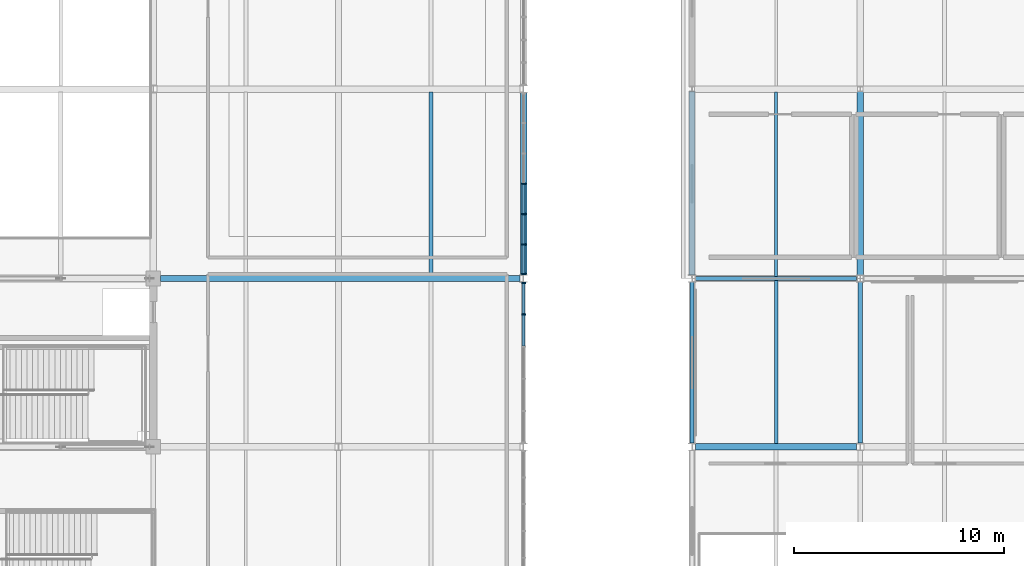
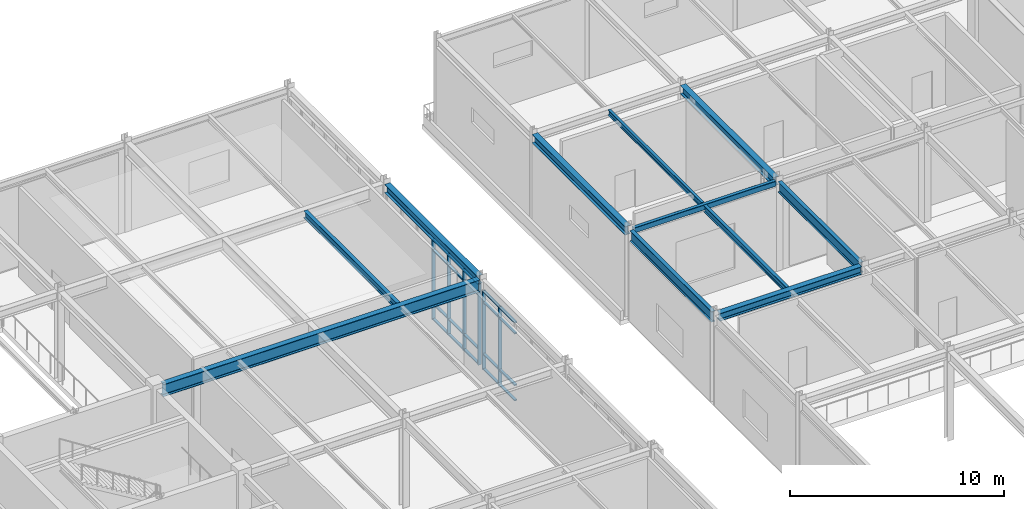
# One storey, part 67 of 184: 26 members, 11 beams, 2 elements without a shape of their own.
"""IFC4 building model written with IfcOpenShell, lengths in metres."""

from ifc_helpers import new_model, si_unit, direction, frame, origin, origin_2d, place, context, subcontext, project, spatial, rectangle, hollow_rectangle, i_section, extrude, material, material_profile, profile_set, type_object, element, aggregate, save


model = new_model("IFC4")

# Units and contexts
model_context = context("Model", 3, precision=1e-05, world=origin(), true_north=direction((0.0, 1.0)))
body_context = subcontext(model_context, "Body", "Model", "MODEL_VIEW")
ifc_project = project(units=[si_unit("LENGTHUNIT", "METRE"), si_unit("AREAUNIT", "SQUARE_METRE"), si_unit("VOLUMEUNIT", "CUBIC_METRE"), si_unit("PLANEANGLEUNIT", "RADIAN"), si_unit("MASSUNIT", "GRAM", prefix="KILO")], contexts=[model_context])

# Site, building, storey
site_placement = place(None, origin())
site = spatial("IfcSite", under=ifc_project, at=site_placement, CompositionType="ELEMENT")
building_placement = place(site_placement, origin())
building = spatial("IfcBuilding", under=site, at=building_placement, Name="Zhaolan Boulevard Law Courts", CompositionType="ELEMENT")
storey_placement = place(building_placement, frame((0.0, 0.0, 5.39990234375)))
storey = spatial("IfcBuildingStorey", under=building, at=storey_placement, Name="L01", CompositionType="ELEMENT", Elevation=5.39990234375)

# Curtain wall, members
ifc_material_1 = material(Name="Thermally broken aluminium and low-E glazing", Category="aluminium")
curtain_wall_type_1 = type_object("IfcCurtainWallType", Name="CURTAIN WALL M16", PredefinedType="USERDEFINED", material=ifc_material_1)
curtain_wall_1_placement = place(storey_placement, origin())
curtain_wall_1 = element("IfcCurtainWall", 1, at=curtain_wall_1_placement, inside=storey, type_object=curtain_wall_type_1, Name="Curtain Wall CW-L01-112", ObjectType="CURTAIN WALL", PredefinedType="USERDEFINED")
ifc_material_2 = material(Name="Fluorocarbon-coated aluminium 6063-T6", Category="aluminium")
ifc_material_profile_1 = material_profile(ifc_material_2, rectangle(XDim=0.179931640625, YDim=0.06494140625, at=origin_2d()), Name="AL65x180")
ifc_profile_set_1 = profile_set([ifc_material_profile_1], Name="Fluorocarbon-coated aluminium 6063-T6")
member_type_1 = type_object("IfcMemberType", Name="CWMULLION 65X180", PredefinedType="MULLION", material=ifc_profile_set_1)
member_1_placement = place(storey_placement, frame((44.0, 92.293701171875, 0.0), z_axis=(0.0, 0.0, 1.0), x_axis=(-1.0, 0.0, 0.0)))
member_1 = element("IfcMember", 2, at=member_1_placement, type_object=member_type_1, Name="CW-L01-112 mullion 5", PredefinedType="MULLION", context=body_context, shape_type="SweptSolid", body=[
    extrude(rectangle(XDim=0.179931640625, YDim=0.06494140625, at=origin_2d()), origin(), (0.0, 0.0, 1.0), 4.503173828125),
])
member_2_placement = place(storey_placement, frame((44.0, 93.79052734375, 0.0), z_axis=(0.0, 0.0, 1.0), x_axis=(-1.0, 0.0, 0.0)))
member_2 = element("IfcMember", 3, at=member_2_placement, type_object=member_type_1, Name="CW-L01-112 mullion 6", PredefinedType="MULLION", context=body_context, shape_type="SweptSolid", body=[
    extrude(rectangle(XDim=0.179931640625, YDim=0.06494140625, at=origin_2d()), origin(), (0.0, 0.0, 1.0), 4.503173828125),
])

ifc_material_3 = material(Name="Thermally broken aluminium and low-E glazing", Category="aluminium")
curtain_wall_type_2 = type_object("IfcCurtainWallType", Name="CURTAIN WALL M17", PredefinedType="USERDEFINED", material=ifc_material_3)
curtain_wall_2_placement = place(storey_placement, origin())
curtain_wall_2 = element("IfcCurtainWall", 4, at=curtain_wall_2_placement, inside=storey, type_object=curtain_wall_type_2, Name="Curtain Wall CW-L01-113", ObjectType="CURTAIN WALL", PredefinedType="USERDEFINED")
member_3_placement = place(storey_placement, frame((44.0, 94.20947265625, 0.0), z_axis=(0.0, 0.0, 1.0), x_axis=(-1.0, 0.0, 0.0)))
member_3 = element("IfcMember", 5, at=member_3_placement, type_object=member_type_1, Name="CW-L01-113 mullion 1", PredefinedType="MULLION", context=body_context, shape_type="SweptSolid", body=[
    extrude(rectangle(XDim=0.179931640625, YDim=0.06494140625, at=origin_2d()), origin(), (0.0, 0.0, 1.0), 4.62109375),
])
member_4_placement = place(storey_placement, frame((44.0, 95.617919921875, 0.0), z_axis=(0.0, 0.0, 1.0), x_axis=(-1.0, 0.0, 0.0)))
member_4 = element("IfcMember", 6, at=member_4_placement, type_object=member_type_1, Name="CW-L01-113 mullion 2", PredefinedType="MULLION", context=body_context, shape_type="SweptSolid", body=[
    extrude(rectangle(XDim=0.179931640625, YDim=0.06494140625, at=origin_2d()), origin(), (0.0, 0.0, 1.0), 4.62109375),
])
member_5_placement = place(storey_placement, frame((44.0, 97.05908203125, 0.0), z_axis=(0.0, 0.0, 1.0), x_axis=(-1.0, 0.0, 0.0)))
member_5 = element("IfcMember", 7, at=member_5_placement, type_object=member_type_1, Name="CW-L01-113 mullion 3", PredefinedType="MULLION", context=body_context, shape_type="SweptSolid", body=[
    extrude(rectangle(XDim=0.179931640625, YDim=0.06494140625, at=origin_2d()), origin(), (0.0, 0.0, 1.0), 4.62109375),
])
member_6_placement = place(storey_placement, frame((44.0, 98.5, 0.0), z_axis=(0.0, 0.0, 1.0), x_axis=(-1.0, 0.0, 0.0)))
member_6 = element("IfcMember", 8, at=member_6_placement, type_object=member_type_1, Name="CW-L01-113 mullion 4", PredefinedType="MULLION", context=body_context, shape_type="SweptSolid", body=[
    extrude(rectangle(XDim=0.179931640625, YDim=0.06494140625, at=origin_2d()), origin(), (0.0, 0.0, 1.0), 4.62109375),
])

# Member
ifc_material_4 = material(Name="Fluorocarbon-coated aluminium 6063-T6", Category="aluminium")
ifc_material_profile_2 = material_profile(ifc_material_4, rectangle(XDim=0.139892578125, YDim=0.06494140625, at=origin_2d()), Name="AL65x140")
ifc_profile_set_2 = profile_set([ifc_material_profile_2], Name="Fluorocarbon-coated aluminium 6063-T6")
member_type_2 = type_object("IfcMemberType", Name="CWTRANSOM 65X140", PredefinedType="USERDEFINED", material=ifc_profile_set_2)
member_7_placement = place(storey_placement, frame((44.0, 90.797119140625, 0.03271484375), z_axis=(0.0, 1.0, 0.0), x_axis=(-1.0, 0.0, 0.0)))
member_7 = element("IfcMember", 9, at=member_7_placement, type_object=member_type_2, Name="CW-L01-112 transom 4.1", ObjectType="TRANSOM", PredefinedType="USERDEFINED", context=body_context, shape_type="SweptSolid", body=[
    extrude(rectangle(XDim=0.139892578125, YDim=0.06494140625, at=origin_2d()), origin(), (0.0, 0.0, 1.0), 1.464111328125),
])

member_8_placement = place(storey_placement, frame((44.0, 90.797119140625, 0.900146484375), z_axis=(0.0, 1.0, 0.0), x_axis=(-1.0, 0.0, 0.0)))
member_8 = element("IfcMember", 10, at=member_8_placement, type_object=member_type_2, Name="CW-L01-112 transom 4.2", ObjectType="TRANSOM", PredefinedType="USERDEFINED", context=body_context, shape_type="SweptSolid", body=[
    extrude(rectangle(XDim=0.139892578125, YDim=0.06494140625, at=origin_2d()), origin(), (0.0, 0.0, 1.0), 1.464111328125),
])

member_9_placement = place(storey_placement, frame((44.0, 90.797119140625, 3.85302734375), z_axis=(0.0, 1.0, 0.0), x_axis=(-1.0, 0.0, 0.0)))
member_9 = element("IfcMember", 11, at=member_9_placement, type_object=member_type_2, Name="CW-L01-112 transom 4.3", ObjectType="TRANSOM", PredefinedType="USERDEFINED", context=body_context, shape_type="SweptSolid", body=[
    extrude(rectangle(XDim=0.139892578125, YDim=0.06494140625, at=origin_2d()), origin(), (0.0, 0.0, 1.0), 1.464111328125),
])

member_10_placement = place(storey_placement, frame((44.0, 90.797119140625, 4.470703125), z_axis=(0.0, 1.0, 0.0), x_axis=(-1.0, 0.0, 0.0)))
member_10 = element("IfcMember", 12, at=member_10_placement, type_object=member_type_2, Name="CW-L01-112 transom 4.4", ObjectType="TRANSOM", PredefinedType="USERDEFINED", context=body_context, shape_type="SweptSolid", body=[
    extrude(rectangle(XDim=0.139892578125, YDim=0.06494140625, at=origin_2d()), origin(), (0.0, 0.0, 1.0), 1.464111328125),
])

member_11_placement = place(storey_placement, frame((44.0, 92.326416015625, 0.03271484375), z_axis=(0.0, 1.0, 0.0), x_axis=(-1.0, 0.0, 0.0)))
member_11 = element("IfcMember", 13, at=member_11_placement, type_object=member_type_2, Name="CW-L01-112 transom 5.1", ObjectType="TRANSOM", PredefinedType="USERDEFINED", context=body_context, shape_type="SweptSolid", body=[
    extrude(rectangle(XDim=0.139892578125, YDim=0.06494140625, at=origin_2d()), origin(), (0.0, 0.0, 1.0), 1.431640625),
])

member_12_placement = place(storey_placement, frame((44.0, 92.326416015625, 0.900146484375), z_axis=(0.0, 1.0, 0.0), x_axis=(-1.0, 0.0, 0.0)))
member_12 = element("IfcMember", 14, at=member_12_placement, type_object=member_type_2, Name="CW-L01-112 transom 5.2", ObjectType="TRANSOM", PredefinedType="USERDEFINED", context=body_context, shape_type="SweptSolid", body=[
    extrude(rectangle(XDim=0.139892578125, YDim=0.06494140625, at=origin_2d()), origin(), (0.0, 0.0, 1.0), 1.431640625),
])

member_13_placement = place(storey_placement, frame((44.0, 92.326416015625, 3.85302734375), z_axis=(0.0, 1.0, 0.0), x_axis=(-1.0, 0.0, 0.0)))
member_13 = element("IfcMember", 15, at=member_13_placement, type_object=member_type_2, Name="CW-L01-112 transom 5.3", ObjectType="TRANSOM", PredefinedType="USERDEFINED", context=body_context, shape_type="SweptSolid", body=[
    extrude(rectangle(XDim=0.139892578125, YDim=0.06494140625, at=origin_2d()), origin(), (0.0, 0.0, 1.0), 1.431640625),
])

member_14_placement = place(storey_placement, frame((44.0, 92.326416015625, 4.470703125), z_axis=(0.0, 1.0, 0.0), x_axis=(-1.0, 0.0, 0.0)))
member_14 = element("IfcMember", 16, at=member_14_placement, type_object=member_type_2, Name="CW-L01-112 transom 5.4", ObjectType="TRANSOM", PredefinedType="USERDEFINED", context=body_context, shape_type="SweptSolid", body=[
    extrude(rectangle(XDim=0.139892578125, YDim=0.06494140625, at=origin_2d()), origin(), (0.0, 0.0, 1.0), 1.431640625),
])

aggregate(curtain_wall_1, [member_1, member_2, member_7, member_8, member_9, member_10, member_11, member_12, member_13, member_14])

member_15_placement = place(storey_placement, frame((44.0, 94.241943359375, 0.03271484375), z_axis=(0.0, 1.0, 0.0), x_axis=(-1.0, 0.0, 0.0)))
member_15 = element("IfcMember", 17, at=member_15_placement, type_object=member_type_2, Name="CW-L01-113 transom 1.1", ObjectType="TRANSOM", PredefinedType="USERDEFINED", context=body_context, shape_type="SweptSolid", body=[
    extrude(rectangle(XDim=0.139892578125, YDim=0.06494140625, at=origin_2d()), origin(), (0.0, 0.0, 1.0), 1.343505859375),
])

member_16_placement = place(storey_placement, frame((44.0, 94.241943359375, 0.900146484375), z_axis=(0.0, 1.0, 0.0), x_axis=(-1.0, 0.0, 0.0)))
member_16 = element("IfcMember", 18, at=member_16_placement, type_object=member_type_2, Name="CW-L01-113 transom 1.2", ObjectType="TRANSOM", PredefinedType="USERDEFINED", context=body_context, shape_type="SweptSolid", body=[
    extrude(rectangle(XDim=0.139892578125, YDim=0.06494140625, at=origin_2d()), origin(), (0.0, 0.0, 1.0), 1.343505859375),
])

member_17_placement = place(storey_placement, frame((44.0, 94.241943359375, 3.97119140625), z_axis=(0.0, 1.0, 0.0), x_axis=(-1.0, 0.0, 0.0)))
member_17 = element("IfcMember", 19, at=member_17_placement, type_object=member_type_2, Name="CW-L01-113 transom 1.3", ObjectType="TRANSOM", PredefinedType="USERDEFINED", context=body_context, shape_type="SweptSolid", body=[
    extrude(rectangle(XDim=0.139892578125, YDim=0.06494140625, at=origin_2d()), origin(), (0.0, 0.0, 1.0), 1.343505859375),
])

member_18_placement = place(storey_placement, frame((44.0, 94.241943359375, 4.588623046875), z_axis=(0.0, 1.0, 0.0), x_axis=(-1.0, 0.0, 0.0)))
member_18 = element("IfcMember", 20, at=member_18_placement, type_object=member_type_2, Name="CW-L01-113 transom 1.4", ObjectType="TRANSOM", PredefinedType="USERDEFINED", context=body_context, shape_type="SweptSolid", body=[
    extrude(rectangle(XDim=0.139892578125, YDim=0.06494140625, at=origin_2d()), origin(), (0.0, 0.0, 1.0), 1.343505859375),
])

member_19_placement = place(storey_placement, frame((44.0, 95.650390625, 0.03271484375), z_axis=(0.0, 1.0, 0.0), x_axis=(-1.0, 0.0, 0.0)))
member_19 = element("IfcMember", 21, at=member_19_placement, type_object=member_type_2, Name="CW-L01-113 transom 2.1", ObjectType="TRANSOM", PredefinedType="USERDEFINED", context=body_context, shape_type="SweptSolid", body=[
    extrude(rectangle(XDim=0.139892578125, YDim=0.06494140625, at=origin_2d()), origin(), (0.0, 0.0, 1.0), 1.376220703125),
])

member_20_placement = place(storey_placement, frame((44.0, 95.650390625, 0.900146484375), z_axis=(0.0, 1.0, 0.0), x_axis=(-1.0, 0.0, 0.0)))
member_20 = element("IfcMember", 22, at=member_20_placement, type_object=member_type_2, Name="CW-L01-113 transom 2.2", ObjectType="TRANSOM", PredefinedType="USERDEFINED", context=body_context, shape_type="SweptSolid", body=[
    extrude(rectangle(XDim=0.139892578125, YDim=0.06494140625, at=origin_2d()), origin(), (0.0, 0.0, 1.0), 1.376220703125),
])

member_21_placement = place(storey_placement, frame((44.0, 95.650390625, 3.97119140625), z_axis=(0.0, 1.0, 0.0), x_axis=(-1.0, 0.0, 0.0)))
member_21 = element("IfcMember", 23, at=member_21_placement, type_object=member_type_2, Name="CW-L01-113 transom 2.3", ObjectType="TRANSOM", PredefinedType="USERDEFINED", context=body_context, shape_type="SweptSolid", body=[
    extrude(rectangle(XDim=0.139892578125, YDim=0.06494140625, at=origin_2d()), origin(), (0.0, 0.0, 1.0), 1.376220703125),
])

member_22_placement = place(storey_placement, frame((44.0, 95.650390625, 4.588623046875), z_axis=(0.0, 1.0, 0.0), x_axis=(-1.0, 0.0, 0.0)))
member_22 = element("IfcMember", 24, at=member_22_placement, type_object=member_type_2, Name="CW-L01-113 transom 2.4", ObjectType="TRANSOM", PredefinedType="USERDEFINED", context=body_context, shape_type="SweptSolid", body=[
    extrude(rectangle(XDim=0.139892578125, YDim=0.06494140625, at=origin_2d()), origin(), (0.0, 0.0, 1.0), 1.376220703125),
])

member_23_placement = place(storey_placement, frame((44.0, 97.091552734375, 0.03271484375), z_axis=(0.0, 1.0, 0.0), x_axis=(-1.0, 0.0, 0.0)))
member_23 = element("IfcMember", 25, at=member_23_placement, type_object=member_type_2, Name="CW-L01-113 transom 3.1", ObjectType="TRANSOM", PredefinedType="USERDEFINED", context=body_context, shape_type="SweptSolid", body=[
    extrude(rectangle(XDim=0.139892578125, YDim=0.06494140625, at=origin_2d()), origin(), (0.0, 0.0, 1.0), 1.3759765625),
])

member_24_placement = place(storey_placement, frame((44.0, 97.091552734375, 0.900146484375), z_axis=(0.0, 1.0, 0.0), x_axis=(-1.0, 0.0, 0.0)))
member_24 = element("IfcMember", 26, at=member_24_placement, type_object=member_type_2, Name="CW-L01-113 transom 3.2", ObjectType="TRANSOM", PredefinedType="USERDEFINED", context=body_context, shape_type="SweptSolid", body=[
    extrude(rectangle(XDim=0.139892578125, YDim=0.06494140625, at=origin_2d()), origin(), (0.0, 0.0, 1.0), 1.3759765625),
])

member_25_placement = place(storey_placement, frame((44.0, 97.091552734375, 3.97119140625), z_axis=(0.0, 1.0, 0.0), x_axis=(-1.0, 0.0, 0.0)))
member_25 = element("IfcMember", 27, at=member_25_placement, type_object=member_type_2, Name="CW-L01-113 transom 3.3", ObjectType="TRANSOM", PredefinedType="USERDEFINED", context=body_context, shape_type="SweptSolid", body=[
    extrude(rectangle(XDim=0.139892578125, YDim=0.06494140625, at=origin_2d()), origin(), (0.0, 0.0, 1.0), 1.3759765625),
])

member_26_placement = place(storey_placement, frame((44.0, 97.091552734375, 4.588623046875), z_axis=(0.0, 1.0, 0.0), x_axis=(-1.0, 0.0, 0.0)))
member_26 = element("IfcMember", 28, at=member_26_placement, type_object=member_type_2, Name="CW-L01-113 transom 3.4", ObjectType="TRANSOM", PredefinedType="USERDEFINED", context=body_context, shape_type="SweptSolid", body=[
    extrude(rectangle(XDim=0.139892578125, YDim=0.06494140625, at=origin_2d()), origin(), (0.0, 0.0, 1.0), 1.3759765625),
])

aggregate(curtain_wall_2, [member_3, member_4, member_5, member_6, member_15, member_16, member_17, member_18, member_19, member_20, member_21, member_22, member_23, member_24, member_25, member_26])

# Beams
ifc_material_5 = material(Name="Structural steel Q355B", Category="steel")
ifc_material_profile_3 = material_profile(ifc_material_5, i_section(OverallWidth=0.300048828125, OverallDepth=0.43994140625, WebThickness=0.010986328125, FlangeThickness=0.01806640625, FilletRadius=0.02001953125, at=origin_2d()), Name="HM440x300")
ifc_profile_set_3 = profile_set([ifc_material_profile_3], Name="Structural steel Q355B")
beam_type_1 = type_object("IfcBeamType", Name="GIRDER HM440", PredefinedType="BEAM", material=ifc_profile_set_3)
beam_1_placement = place(storey_placement, frame((52.1708984375, 86.0, 4.898193359375), z_axis=(1.0, 0.0, 0.0), x_axis=(0.0, 1.0, 0.0)))
element("IfcBeam", 29, at=beam_1_placement, inside=storey, type_object=beam_type_1, Name="Beam BX-L02-7-8-M", PredefinedType="BEAM", context=body_context, shape_type="SweptSolid", body=[
    extrude(i_section(OverallWidth=0.300048828125, OverallDepth=0.43994140625, WebThickness=0.010986328125, FlangeThickness=0.01806640625, FilletRadius=0.02001953125, at=origin_2d()), origin(), (0.0, 0.0, 1.0), 7.658203125),
])
ifc_material_6 = material(Name="Structural steel Q355B", Category="steel")
ifc_material_profile_4 = material_profile(ifc_material_6, i_section(OverallWidth=0.300048828125, OverallDepth=0.48193359375, WebThickness=0.010986328125, FlangeThickness=0.014892578125, FilletRadius=0.02197265625, at=origin_2d()), Name="HM482x300")
ifc_profile_set_4 = profile_set([ifc_material_profile_4], Name="Structural steel Q355B")
beam_type_2 = type_object("IfcBeamType", Name="GIRDER HM488", PredefinedType="BEAM", material=ifc_profile_set_4)
beam_2_placement = place(storey_placement, frame((44.0, 94.1708984375, 4.877197265625), z_axis=(0.0, 1.0, 0.0), x_axis=(-1.0, 0.0, 0.0)))
element("IfcBeam", 30, at=beam_2_placement, inside=storey, type_object=beam_type_2, Name="Beam BY-L02-6-N-P", PredefinedType="BEAM", context=body_context, shape_type="SweptSolid", body=[
    extrude(i_section(OverallWidth=0.300048828125, OverallDepth=0.48193359375, WebThickness=0.010986328125, FlangeThickness=0.014892578125, FilletRadius=0.02197265625, at=origin_2d()), origin(), (0.0, 0.0, 1.0), 8.658203125),
])
for number, where, z_axis, x_axis, name in (
    (31, (52.0, 94.1708984375, 4.897216796875), (0.0, 1.0, 0.0), (-1.0, 0.0, 0.0), "Beam BY-L02-7-N-P"),
    (32, (60.0, 94.1708984375, 4.897216796875), (0.0, 1.0, 0.0), (-1.0, 0.0, 0.0), "Beam BY-L02-8-N-P"),
):
    element("IfcBeam", number, at=place(storey_placement, frame(where, z_axis=z_axis, x_axis=x_axis)), inside=storey, type_object=beam_type_2, Name=name, PredefinedType="BEAM", context=body_context, shape_type="SweptSolid", body=[
        extrude(i_section(OverallWidth=0.300048828125, OverallDepth=0.48193359375, WebThickness=0.010986328125, FlangeThickness=0.014892578125, FilletRadius=0.02197265625, at=origin_2d()), origin(), (0.0, 0.0, 1.0), 8.7080078125),
    ])
ifc_material_7 = material(Name="Structural steel Q355B", Category="steel")
ifc_material_profile_5 = material_profile(ifc_material_7, i_section(OverallWidth=0.199951171875, OverallDepth=0.60009765625, WebThickness=0.010986328125, FlangeThickness=0.01708984375, FilletRadius=0.02001953125, at=origin_2d()), Name="HN600x200")
ifc_profile_set_5 = profile_set([ifc_material_profile_5], Name="Structural steel Q355B")
beam_type_3 = type_object("IfcBeamType", Name="GIRDER HN600", PredefinedType="BEAM", material=ifc_profile_set_5)
for number, where, z_axis, x_axis, name in (
    (33, (52.0, 86.1708984375, 4.818115234375), (0.0, 1.0, 0.0), (-1.0, 0.0, 0.0), "Beam BY-L02-7-M-N"),
    (34, (60.0, 86.1708984375, 4.818115234375), (0.0, 1.0, 0.0), (-1.0, 0.0, 0.0), "Beam BY-L02-8-M-N"),
):
    element("IfcBeam", number, at=place(storey_placement, frame(where, z_axis=z_axis, x_axis=x_axis)), inside=storey, type_object=beam_type_3, Name=name, PredefinedType="BEAM", context=body_context, shape_type="SweptSolid", body=[
        extrude(i_section(OverallWidth=0.199951171875, OverallDepth=0.60009765625, WebThickness=0.010986328125, FlangeThickness=0.01708984375, FilletRadius=0.02001953125, at=origin_2d()), origin(), (0.0, 0.0, 1.0), 7.658203125),
    ])
ifc_material_8 = material(Name="Structural steel Q390B", Category="steel")
ifc_material_profile_6 = material_profile(ifc_material_8, i_section(OverallWidth=0.300048828125, OverallDepth=0.699951171875, WebThickness=0.012939453125, FlangeThickness=0.02392578125, FilletRadius=0.02392578125, at=origin_2d()), Name="HN700x300")
ifc_profile_set_6 = profile_set([ifc_material_profile_6], Name="Structural steel Q390B")
beam_type_4 = type_object("IfcBeamType", Name="GIRDER HN700", PredefinedType="BEAM", material=ifc_profile_set_6)
beam_3_placement = place(storey_placement, frame((26.74609375, 94.0, 4.76806640625), z_axis=(1.0, 0.0, 0.0), x_axis=(0.0, 1.0, 0.0)))
element("IfcBeam", 35, at=beam_3_placement, inside=storey, type_object=beam_type_4, Name="Beam BX-L02-4-6-N", PredefinedType="BEAM", context=body_context, shape_type="SweptSolid", body=[
    extrude(i_section(OverallWidth=0.300048828125, OverallDepth=0.699951171875, WebThickness=0.012939453125, FlangeThickness=0.02392578125, FilletRadius=0.02392578125, at=origin_2d()), origin(), (0.0, 0.0, 1.0), 17.0830078125),
])
ifc_material_9 = material(Name="Structural steel Q355B", Category="steel")
ifc_material_profile_7 = material_profile(ifc_material_9, i_section(OverallWidth=0.14990234375, OverallDepth=0.300048828125, WebThickness=0.006591796875, FlangeThickness=0.009033203125, FilletRadius=0.010986328125, at=origin_2d()), Name="HN300x150")
ifc_profile_set_7 = profile_set([ifc_material_profile_7], Name="Structural steel Q355B")
beam_type_5 = type_object("IfcBeamType", Name="JOIST HN300", PredefinedType="JOIST", material=ifc_profile_set_7)
beam_4_placement = place(storey_placement, frame((56.0, 94.095947265625, 4.988037109375), z_axis=(0.0, 1.0, 0.0), x_axis=(-1.0, 0.0, 0.0)))
element("IfcBeam", 36, at=beam_4_placement, inside=storey, type_object=beam_type_5, Name="Composite Joist J-L02-7N", PredefinedType="JOIST", context=body_context, shape_type="SweptSolid", body=[
    extrude(i_section(OverallWidth=0.14990234375, OverallDepth=0.300048828125, WebThickness=0.006591796875, FlangeThickness=0.009033203125, FilletRadius=0.010986328125, at=origin_2d()), origin(), (0.0, 0.0, 1.0), 8.758056640625),
])
ifc_material_10 = material(Name="Structural steel Q355B", Category="steel")
ifc_material_profile_8 = material_profile(ifc_material_10, i_section(OverallWidth=0.175048828125, OverallDepth=0.35009765625, WebThickness=0.007080078125, FlangeThickness=0.010986328125, FilletRadius=0.012939453125, at=origin_2d()), Name="HN350x175")
ifc_profile_set_8 = profile_set([ifc_material_profile_8], Name="Structural steel Q355B")
beam_type_6 = type_object("IfcBeamType", Name="JOIST HN350", PredefinedType="JOIST", material=ifc_profile_set_8)
beam_5_placement = place(storey_placement, frame((56.0, 86.14599609375, 4.943115234375), z_axis=(0.0, 1.0, 0.0), x_axis=(-1.0, 0.0, 0.0)))
element("IfcBeam", 37, at=beam_5_placement, inside=storey, type_object=beam_type_6, Name="Composite Joist J-L02-7M", PredefinedType="JOIST", context=body_context, shape_type="SweptSolid", body=[
    extrude(i_section(OverallWidth=0.175048828125, OverallDepth=0.35009765625, WebThickness=0.007080078125, FlangeThickness=0.010986328125, FilletRadius=0.012939453125, at=origin_2d()), origin(), (0.0, 0.0, 1.0), 7.758056640625),
])
ifc_material_11 = material(Name="Structural steel Q355B", Category="steel")
ifc_material_profile_9 = material_profile(ifc_material_11, i_section(OverallWidth=0.199951171875, OverallDepth=0.39990234375, WebThickness=0.008056640625, FlangeThickness=0.012939453125, FilletRadius=0.013916015625, at=origin_2d()), Name="HN400x200")
ifc_profile_set_9 = profile_set([ifc_material_profile_9], Name="Structural steel Q355B")
beam_type_7 = type_object("IfcBeamType", Name="JOIST HN400", PredefinedType="JOIST", material=ifc_profile_set_9)
beam_6_placement = place(storey_placement, frame((39.60009765625, 94.14599609375, 4.918212890625), z_axis=(0.0, 1.0, 0.0), x_axis=(-1.0, 0.0, 0.0)))
element("IfcBeam", 38, at=beam_6_placement, inside=storey, type_object=beam_type_7, Name="Composite Joist J-L02-5N", PredefinedType="JOIST", context=body_context, shape_type="SweptSolid", body=[
    extrude(i_section(OverallWidth=0.199951171875, OverallDepth=0.39990234375, WebThickness=0.008056640625, FlangeThickness=0.012939453125, FilletRadius=0.013916015625, at=origin_2d()), origin(), (0.0, 0.0, 1.0), 8.7080078125),
])
ifc_material_12 = material(Name="Structural steel Q355B", Category="steel")
ifc_material_profile_10 = material_profile(ifc_material_12, hollow_rectangle(XDim=0.199951171875, YDim=0.300048828125, WallThickness=0.011962890625, InnerFilletRadius=0.011962890625, OuterFilletRadius=0.02392578125, at=origin_2d()), Name="HSS300x200x12")
ifc_profile_set_10 = profile_set([ifc_material_profile_10], Name="Structural steel Q355B")
beam_type_8 = type_object("IfcBeamType", Name="SPANDREL HSS300", PredefinedType="SPANDREL", material=ifc_profile_set_10)
beam_7_placement = place(storey_placement, frame((52.1708984375, 94.0, 4.968017578125), z_axis=(1.0, 0.0, 0.0), x_axis=(0.0, 1.0, 0.0)))
element("IfcBeam", 39, at=beam_7_placement, inside=storey, type_object=beam_type_8, Name="Beam BX-L02-7-8-N", PredefinedType="SPANDREL", context=body_context, shape_type="SweptSolid", body=[
    extrude(hollow_rectangle(XDim=0.199951171875, YDim=0.300048828125, WallThickness=0.011962890625, InnerFilletRadius=0.011962890625, OuterFilletRadius=0.02392578125, at=origin_2d()), origin(), (0.0, 0.0, 1.0), 7.658203125),
])

save(model, "model.ifc")
